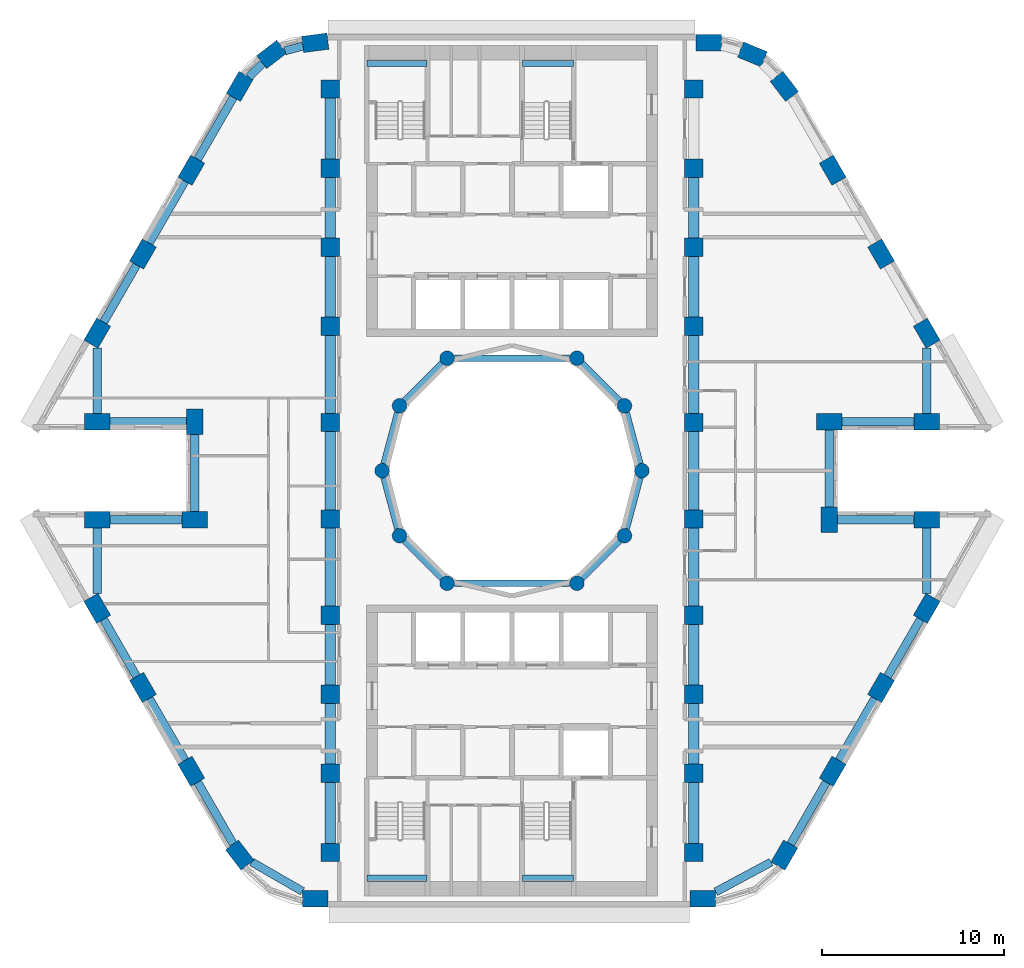
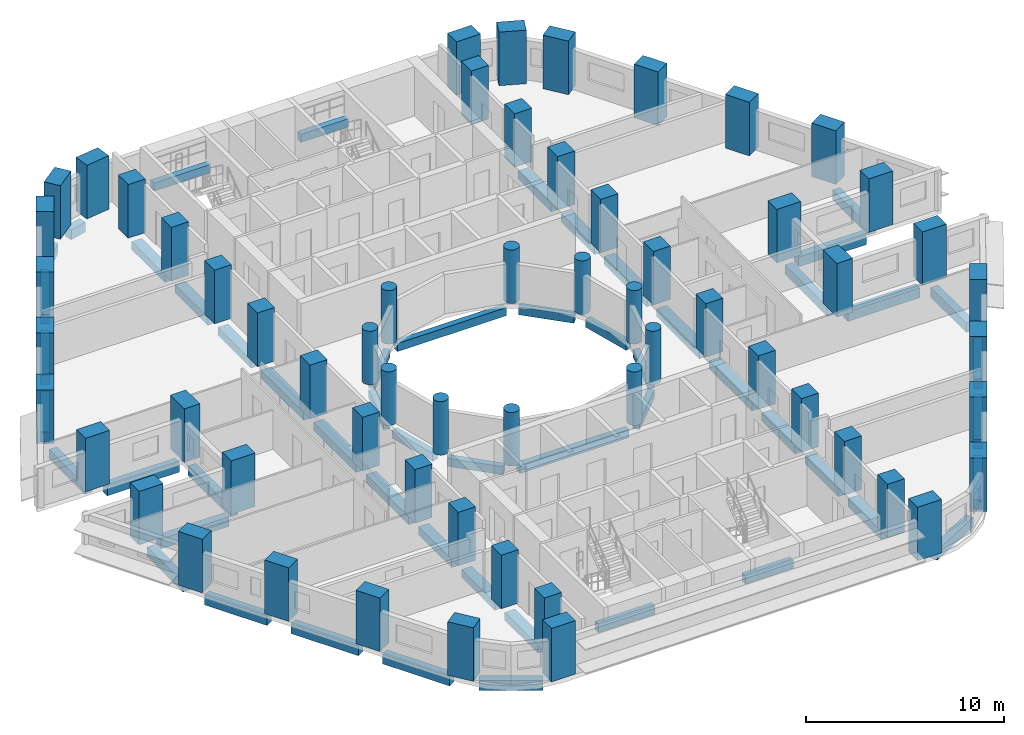
# One storey, part 1 of 12: 60 columns, 54 beams.
"""IFC4 building model written with IfcOpenShell, lengths in metres."""

from ifc_helpers import new_model, si_unit, direction, frame, origin, origin_2d, place, context, subcontext, project, spatial, rectangle, circle, extrude, material, material_profile, profile_set, type_object, element, save


model = new_model("IFC4")

# Units and contexts
model_context = context("Model", 3, precision=1e-05, world=origin(), true_north=direction((0.0, 1.0)))
body_context = subcontext(model_context, "Body", "Model", "MODEL_VIEW")
ifc_project = project(units=[si_unit("LENGTHUNIT", "METRE"), si_unit("AREAUNIT", "SQUARE_METRE"), si_unit("VOLUMEUNIT", "CUBIC_METRE"), si_unit("PLANEANGLEUNIT", "RADIAN"), si_unit("MASSUNIT", "GRAM", prefix="KILO")], contexts=[model_context])

# Site, building, storey
site_placement = place(None, origin())
site = spatial("IfcSite", under=ifc_project, at=site_placement, CompositionType="ELEMENT")
building_placement = place(site_placement, origin())
building = spatial("IfcBuilding", under=site, at=building_placement, Name="Nakaniwa Court", CompositionType="ELEMENT")
storey_placement = place(building_placement, frame((0.0, 0.0, 90.89990234375)))
storey = spatial("IfcBuildingStorey", under=building, at=storey_placement, Name="L23", CompositionType="ELEMENT", Elevation=90.89990234375)

# Columns
ifc_material = material(Name="Concrete C80/100", Category="concrete")
ifc_material_profile_1 = material_profile(ifc_material, rectangle(XDim=1.0, YDim=1.0, at=origin_2d()), Name="Concrete C80/100 RC 1000x1000 spine column")
ifc_profile_set_1 = profile_set([ifc_material_profile_1], Name="Concrete C80/100")
column_type_1 = type_object("IfcColumnType", Name="Concrete C80/100 RC 1000x1000 spine column", PredefinedType="COLUMN", material=ifc_profile_set_1)
for number, where, z_axis, x_axis, name in (
    (1, (90.0, 59.0, 0.0), (0.0, 0.0, 1.0), (0.0, 1.0, 0.0), "COLUMN CS-01"),
    (2, (90.0, 63.35009765625, 0.0), (0.0, 0.0, 1.0), (0.0, 1.0, 0.0), "COLUMN CS-02"),
    (3, (90.0, 67.699951171875, 0.0), (0.0, 0.0, 1.0), (0.0, 1.0, 0.0), "COLUMN CS-03"),
    (4, (90.0, 72.050048828125, 0.0), (0.0, 0.0, 1.0), (0.0, 1.0, 0.0), "COLUMN CS-04"),
    (5, (90.0, 77.35009765625, 0.0), (0.0, 0.0, 1.0), (0.0, 1.0, 0.0), "COLUMN CS-05"),
    (6, (90.0, 82.64990234375, 0.0), (0.0, 0.0, 1.0), (0.0, 1.0, 0.0), "COLUMN CS-06"),
    (7, (90.0, 87.949951171875, 0.0), (0.0, 0.0, 1.0), (0.0, 1.0, 0.0), "COLUMN CS-07"),
    (8, (90.0, 92.300048828125, 0.0), (0.0, 0.0, 1.0), (0.0, 1.0, 0.0), "COLUMN CS-08"),
    (9, (90.0, 96.64990234375, 0.0), (0.0, 0.0, 1.0), (0.0, 1.0, 0.0), "COLUMN CS-09"),
    (10, (90.0, 101.0, 0.0), (0.0, 0.0, 1.0), (0.0, 1.0, 0.0), "COLUMN CS-10"),
    (11, (70.0, 101.0, 0.0), (0.0, 0.0, 1.0), (0.0, -1.0, 0.0), "COLUMN CS-11"),
    (12, (70.0, 96.64990234375, 0.0), (0.0, 0.0, 1.0), (0.0, -1.0, 0.0), "COLUMN CS-12"),
    (13, (70.0, 92.300048828125, 0.0), (0.0, 0.0, 1.0), (0.0, -1.0, 0.0), "COLUMN CS-13"),
    (14, (70.0, 87.949951171875, 0.0), (0.0, 0.0, 1.0), (0.0, -1.0, 0.0), "COLUMN CS-14"),
    (15, (70.0, 82.64990234375, 0.0), (0.0, 0.0, 1.0), (0.0, -1.0, 0.0), "COLUMN CS-15"),
    (16, (70.0, 77.35009765625, 0.0), (0.0, 0.0, 1.0), (0.0, -1.0, 0.0), "COLUMN CS-16"),
    (17, (70.0, 72.050048828125, 0.0), (0.0, 0.0, 1.0), (0.0, -1.0, 0.0), "COLUMN CS-17"),
    (18, (70.0, 67.699951171875, 0.0), (0.0, 0.0, 1.0), (0.0, -1.0, 0.0), "COLUMN CS-18"),
    (19, (70.0, 63.35009765625, 0.0), (0.0, 0.0, 1.0), (0.0, -1.0, 0.0), "COLUMN CS-19"),
    (20, (70.0, 59.0, 0.0), (0.0, 0.0, 1.0), (0.0, -1.0, 0.0), "COLUMN CS-20"),
):
    element("IfcColumn", number, at=place(storey_placement, frame(where, z_axis=z_axis, x_axis=x_axis)), inside=storey, type_object=column_type_1, Name=name, PredefinedType="COLUMN", context=body_context, shape_type="SweptSolid", body=[
        extrude(rectangle(XDim=1.0, YDim=1.0, at=origin_2d()), origin(), (0.0, 0.0, 1.0), 3.300048828125),
    ])
ifc_material_profile_2 = material_profile(ifc_material, rectangle(XDim=1.39990234375, YDim=0.89990234375, at=origin_2d()), Name="Concrete C80/100 RC 1400x900 perimeter column")
ifc_profile_set_2 = profile_set([ifc_material_profile_2], Name="Concrete C80/100")
column_type_2 = type_object("IfcColumnType", Name="Concrete C80/100 RC 1400x900 perimeter column", PredefinedType="COLUMN", material=ifc_profile_set_2)
for number, where, z_axis, x_axis, name in (
    (21, (69.17529296875, 103.550048828125, 0.0), (0.0, 0.0, 1.0), (-0.991442583111, -0.130543496177, 0.0), "COLUMN CO-01"),
    (22, (66.772705078125, 102.91015625, 0.0), (0.0, 0.0, 1.0), (-0.793363965062, -0.608747582288, 0.0), "COLUMN CO-02"),
    (23, (65.017578125, 101.1494140625, 0.0), (0.0, 0.0, 1.0), (-0.5, -0.866025403784, 0.0), "COLUMN CO-03"),
    (24, (62.3544921875, 96.537109375, 0.0), (0.0, 0.0, 1.0), (-0.5, -0.866025403784, 0.0), "COLUMN CO-04"),
    (25, (59.691650390625, 91.9248046875, 0.0), (0.0, 0.0, 1.0), (-0.5, -0.866025403784, 0.0), "COLUMN CO-05"),
    (26, (57.177001953125, 87.569580078125, 0.0), (0.0, 0.0, 1.0), (-0.5, -0.866025403784, 0.0), "COLUMN CO-06"),
    (27, (57.177001953125, 82.699951171875, 0.0), (0.0, 0.0, 1.0), (1.0, 0.0, 0.0), "COLUMN CO-08"),
    (28, (62.54150390625, 82.699951171875, 0.0), (0.0, 0.0, 1.0), (0.0, -1.0, 0.0), "COLUMN CO-09"),
    (29, (62.54150390625, 77.300048828125, 0.0), (0.0, 0.0, 1.0), (-1.0, 0.0, 0.0), "COLUMN CO-10"),
    (30, (57.177001953125, 77.300048828125, 0.0), (0.0, 0.0, 1.0), (-1.0, 0.0, 0.0), "COLUMN CO-11"),
    (31, (57.177001953125, 72.430419921875, 0.0), (0.0, 0.0, 1.0), (0.5, -0.866025403784, 0.0), "COLUMN CO-13"),
    (32, (59.691650390625, 68.0751953125, 0.0), (0.0, 0.0, 1.0), (0.5, -0.866025403784, 0.0), "COLUMN CO-14"),
    (33, (62.3544921875, 63.462890625, 0.0), (0.0, 0.0, 1.0), (0.5, -0.866025403784, 0.0), "COLUMN CO-15"),
    (34, (65.017578125, 58.8505859375, 0.0), (0.0, 0.0, 1.0), (0.608761429009, -0.793353340291, 0.0), "COLUMN CO-16"),
    (35, (69.17529296875, 56.449951171875, 0.0), (0.0, 0.0, 1.0), (1.0, 0.0, 0.0), "COLUMN CO-17"),
    (36, (90.507080078125, 56.449951171875, 0.0), (0.0, 0.0, 1.0), (1.0, 0.0, 0.0), "COLUMN CO-21"),
    (37, (94.982421875, 58.8505859375, 0.0), (0.0, 0.0, 1.0), (0.5, 0.866025403784, 0.0), "COLUMN CO-22"),
    (38, (97.6455078125, 63.462890625, 0.0), (0.0, 0.0, 1.0), (0.5, 0.866025403784, 0.0), "COLUMN CO-23"),
    (39, (100.308349609375, 68.0751953125, 0.0), (0.0, 0.0, 1.0), (0.5, 0.866025403784, 0.0), "COLUMN CO-24"),
    (40, (102.822998046875, 72.430419921875, 0.0), (0.0, 0.0, 1.0), (0.5, 0.866025403784, 0.0), "COLUMN CO-25"),
    (41, (102.822998046875, 77.300048828125, 0.0), (0.0, 0.0, 1.0), (-1.0, 0.0, 0.0), "COLUMN CO-27"),
    (42, (97.45849609375, 77.300048828125, 0.0), (0.0, 0.0, 1.0), (0.0, 1.0, 0.0), "COLUMN CO-28"),
    (43, (97.45849609375, 82.699951171875, 0.0), (0.0, 0.0, 1.0), (1.0, 0.0, 0.0), "COLUMN CO-29"),
    (44, (102.822998046875, 82.699951171875, 0.0), (0.0, 0.0, 1.0), (1.0, 0.0, 0.0), "COLUMN CO-30"),
    (45, (102.822998046875, 87.569580078125, 0.0), (0.0, 0.0, 1.0), (-0.5, 0.866025403784, 0.0), "COLUMN CO-32"),
    (46, (100.308349609375, 91.9248046875, 0.0), (0.0, 0.0, 1.0), (-0.5, 0.866025403784, 0.0), "COLUMN CO-33"),
    (47, (97.6455078125, 96.537109375, 0.0), (0.0, 0.0, 1.0), (-0.5, 0.866025403784, 0.0), "COLUMN CO-34"),
    (48, (94.982421875, 101.1494140625, 0.0), (0.0, 0.0, 1.0), (-0.608761429009, 0.793353340291, 0.0), "COLUMN CO-35"),
    (49, (93.227294921875, 102.91015625, 0.0), (0.0, 0.0, 1.0), (-0.923879532511, 0.382683432365, 0.0), "COLUMN CO-36"),
    (50, (90.82470703125, 103.550048828125, 0.0), (0.0, 0.0, 1.0), (-1.0, 0.0, 0.0), "COLUMN CO-37"),
):
    element("IfcColumn", number, at=place(storey_placement, frame(where, z_axis=z_axis, x_axis=x_axis)), inside=storey, type_object=column_type_2, Name=name, PredefinedType="COLUMN", context=body_context, shape_type="SweptSolid", body=[
        extrude(rectangle(XDim=1.39990234375, YDim=0.89990234375, at=origin_2d()), origin(), (0.0, 0.0, 1.0), 3.300048828125),
    ])
ifc_material_profile_3 = material_profile(ifc_material, circle(Radius=0.39990234375, at=origin_2d()), Name="Concrete C80/100 RC D800 inner ring column")
ifc_profile_set_3 = profile_set([ifc_material_profile_3], Name="Concrete C80/100")
column_type_3 = type_object("IfcColumnType", Name="Concrete C80/100 RC D800 inner ring column", PredefinedType="COLUMN", material=ifc_profile_set_3)
for number, where, z_axis, x_axis, name in (
    (51, (87.14990234375, 80.0, 0.0), (0.0, 0.0, 1.0), (0.0, 1.0, 0.0), "COLUMN CI-01"),
    (52, (86.192138671875, 83.574951171875, 0.0), (0.0, 0.0, 1.0), (-0.5, 0.866025403784, 0.0), "COLUMN CI-02"),
    (53, (83.574951171875, 86.192138671875, 0.0), (0.0, 0.0, 1.0), (-0.866025403784, 0.5, 0.0), "COLUMN CI-03"),
    (54, (76.425048828125, 86.192138671875, 0.0), (0.0, 0.0, 1.0), (-0.866025403784, -0.5, 0.0), "COLUMN CI-05"),
    (55, (73.807861328125, 83.574951171875, 0.0), (0.0, 0.0, 1.0), (-0.5, -0.866025403784, 0.0), "COLUMN CI-06"),
    (56, (72.85009765625, 80.0, 0.0), (0.0, 0.0, 1.0), (0.0, -1.0, 0.0), "COLUMN CI-07"),
    (57, (73.807861328125, 76.425048828125, 0.0), (0.0, 0.0, 1.0), (0.5, -0.866025403784, 0.0), "COLUMN CI-08"),
    (58, (76.425048828125, 73.807861328125, 0.0), (0.0, 0.0, 1.0), (0.866025403784, -0.5, 0.0), "COLUMN CI-09"),
    (59, (83.574951171875, 73.807861328125, 0.0), (0.0, 0.0, 1.0), (0.866025403784, 0.5, 0.0), "COLUMN CI-11"),
    (60, (86.192138671875, 76.425048828125, 0.0), (0.0, 0.0, 1.0), (0.5, 0.866025403784, 0.0), "COLUMN CI-12"),
):
    element("IfcColumn", number, at=place(storey_placement, frame(where, z_axis=z_axis, x_axis=x_axis)), inside=storey, type_object=column_type_3, Name=name, PredefinedType="COLUMN", context=body_context, shape_type="SweptSolid", body=[
        extrude(circle(Radius=0.39990234375, at=origin_2d()), origin(), (0.0, 0.0, 1.0), 3.300048828125),
    ])

# Beams
ifc_material_profile_4 = material_profile(ifc_material, rectangle(XDim=0.35009765625, YDim=0.5, at=origin_2d()), Name="Concrete C80/100 RC 350x500 landing ledge beam")
ifc_profile_set_4 = profile_set([ifc_material_profile_4], Name="Concrete C80/100")
beam_type_1 = type_object("IfcBeamType", Name="Concrete C80/100 RC 350x500 landing ledge beam", PredefinedType="BEAM", material=ifc_profile_set_4)
beam_1_placement = place(storey_placement, frame((72.02490234375, 102.425048828125, 1.2001953125), z_axis=(1.0, 0.0, 0.0), x_axis=(0.0, 1.0, 0.0)))
element("IfcBeam", 61, at=beam_1_placement, inside=storey, type_object=beam_type_1, Name="LANDING LEDGE BEAM", PredefinedType="BEAM", context=body_context, shape_type="SweptSolid", body=[
    extrude(rectangle(XDim=0.35009765625, YDim=0.5, at=origin_2d()), origin(), (0.0, 0.0, 1.0), 3.300048828125),
])
beam_2_placement = place(storey_placement, frame((80.574951171875, 102.425048828125, 1.2001953125), z_axis=(1.0, 0.0, 0.0), x_axis=(0.0, 1.0, 0.0)))
element("IfcBeam", 62, at=beam_2_placement, inside=storey, type_object=beam_type_1, Name="LANDING LEDGE BEAM", PredefinedType="BEAM", context=body_context, shape_type="SweptSolid", body=[
    extrude(rectangle(XDim=0.35009765625, YDim=0.5, at=origin_2d()), origin(), (0.0, 0.0, 1.0), 2.800048828125),
])
beam_3_placement = place(storey_placement, frame((72.02490234375, 57.574951171875, 1.2001953125), z_axis=(1.0, 0.0, 0.0), x_axis=(0.0, 1.0, 0.0)))
element("IfcBeam", 63, at=beam_3_placement, inside=storey, type_object=beam_type_1, Name="LANDING LEDGE BEAM", PredefinedType="BEAM", context=body_context, shape_type="SweptSolid", body=[
    extrude(rectangle(XDim=0.35009765625, YDim=0.5, at=origin_2d()), origin(), (0.0, 0.0, 1.0), 3.300048828125),
])
beam_4_placement = place(storey_placement, frame((80.574951171875, 57.574951171875, 1.2001953125), z_axis=(1.0, 0.0, 0.0), x_axis=(0.0, 1.0, 0.0)))
element("IfcBeam", 64, at=beam_4_placement, inside=storey, type_object=beam_type_1, Name="LANDING LEDGE BEAM", PredefinedType="BEAM", context=body_context, shape_type="SweptSolid", body=[
    extrude(rectangle(XDim=0.35009765625, YDim=0.5, at=origin_2d()), origin(), (0.0, 0.0, 1.0), 2.800048828125),
])
ifc_material_profile_5 = material_profile(ifc_material, rectangle(XDim=0.35009765625, YDim=0.5, at=origin_2d()), Name="Concrete C80/100 RC 350x500 ring beam")
ifc_profile_set_5 = profile_set([ifc_material_profile_5], Name="Concrete C80/100")
beam_type_2 = type_object("IfcBeamType", Name="Concrete C80/100 RC 350x500 ring beam", PredefinedType="BEAM", material=ifc_profile_set_5)
beam_5_placement = place(storey_placement, frame((87.04638671875, 80.386474609375, -0.52490234375), z_axis=(-0.258778150207, 0.965936783115, 0.0), x_axis=(-0.965936783115, -0.258778150207, 0.0)))
element("IfcBeam", 65, at=beam_5_placement, inside=storey, type_object=beam_type_2, Name="RING BEAM", PredefinedType="BEAM", context=body_context, shape_type="SweptSolid", body=[
    extrude(rectangle(XDim=0.35009765625, YDim=0.5, at=origin_2d()), origin(), (0.0, 0.0, 1.0), 2.901123046875),
])
beam_6_placement = place(storey_placement, frame((85.9091796875, 83.85791015625, -0.52490234375), z_axis=(-0.707106781187, 0.707106781187, 0.0), x_axis=(-0.707106781187, -0.707106781187, 0.0)))
element("IfcBeam", 66, at=beam_6_placement, inside=storey, type_object=beam_type_2, Name="RING BEAM", PredefinedType="BEAM", context=body_context, shape_type="SweptSolid", body=[
    extrude(rectangle(XDim=0.35009765625, YDim=0.5, at=origin_2d()), origin(), (0.0, 0.0, 1.0), 2.90087890625),
])
beam_7_placement = place(storey_placement, frame((83.175048828125, 86.192138671875, -0.52490234375), z_axis=(-1.0, 0.0, 0.0), x_axis=(0.0, -1.0, 0.0)))
element("IfcBeam", 67, at=beam_7_placement, inside=storey, type_object=beam_type_2, Name="RING BEAM", PredefinedType="BEAM", context=body_context, shape_type="SweptSolid", body=[
    extrude(rectangle(XDim=0.35009765625, YDim=0.5, at=origin_2d()), origin(), (0.0, 0.0, 1.0), 6.35009765625),
])
beam_8_placement = place(storey_placement, frame((76.14208984375, 85.9091796875, -0.52490234375), z_axis=(-0.707106781187, -0.707106781187, 0.0), x_axis=(0.707106781187, -0.707106781187, 0.0)))
element("IfcBeam", 68, at=beam_8_placement, inside=storey, type_object=beam_type_2, Name="RING BEAM", PredefinedType="BEAM", context=body_context, shape_type="SweptSolid", body=[
    extrude(rectangle(XDim=0.35009765625, YDim=0.5, at=origin_2d()), origin(), (0.0, 0.0, 1.0), 2.90087890625),
])
for number, where, z_axis, x_axis, name in (
    (69, (73.704345703125, 83.188720703125, -0.52490234375), (-0.258778150207, -0.965936783115, 0.0), (0.965936783115, -0.258778150207, 0.0), "RING BEAM"),
    (70, (72.95361328125, 79.613525390625, -0.52490234375), (0.258778150207, -0.965936783115, 0.0), (0.965936783115, 0.258778150207, 0.0), "RING BEAM"),
):
    element("IfcBeam", number, at=place(storey_placement, frame(where, z_axis=z_axis, x_axis=x_axis)), inside=storey, type_object=beam_type_2, Name=name, PredefinedType="BEAM", context=body_context, shape_type="SweptSolid", body=[
        extrude(rectangle(XDim=0.35009765625, YDim=0.5, at=origin_2d()), origin(), (0.0, 0.0, 1.0), 2.901123046875),
    ])
beam_9_placement = place(storey_placement, frame((74.0908203125, 76.14208984375, -0.52490234375), z_axis=(0.707106781187, -0.707106781187, 0.0), x_axis=(0.707106781187, 0.707106781187, 0.0)))
element("IfcBeam", 71, at=beam_9_placement, inside=storey, type_object=beam_type_2, Name="RING BEAM", PredefinedType="BEAM", context=body_context, shape_type="SweptSolid", body=[
    extrude(rectangle(XDim=0.35009765625, YDim=0.5, at=origin_2d()), origin(), (0.0, 0.0, 1.0), 2.90087890625),
])
beam_10_placement = place(storey_placement, frame((76.824951171875, 73.807861328125, -0.52490234375), z_axis=(1.0, 0.0, 0.0), x_axis=(0.0, 1.0, 0.0)))
element("IfcBeam", 72, at=beam_10_placement, inside=storey, type_object=beam_type_2, Name="RING BEAM", PredefinedType="BEAM", context=body_context, shape_type="SweptSolid", body=[
    extrude(rectangle(XDim=0.35009765625, YDim=0.5, at=origin_2d()), origin(), (0.0, 0.0, 1.0), 6.35009765625),
])
beam_11_placement = place(storey_placement, frame((83.85791015625, 74.0908203125, -0.52490234375), z_axis=(0.707106781187, 0.707106781187, 0.0), x_axis=(-0.707106781187, 0.707106781187, 0.0)))
element("IfcBeam", 73, at=beam_11_placement, inside=storey, type_object=beam_type_2, Name="RING BEAM", PredefinedType="BEAM", context=body_context, shape_type="SweptSolid", body=[
    extrude(rectangle(XDim=0.35009765625, YDim=0.5, at=origin_2d()), origin(), (0.0, 0.0, 1.0), 2.90087890625),
])
beam_12_placement = place(storey_placement, frame((86.295654296875, 76.811279296875, -0.52490234375), z_axis=(0.258778150207, 0.965936783115, 0.0), x_axis=(-0.965936783115, 0.258778150207, 0.0)))
element("IfcBeam", 74, at=beam_12_placement, inside=storey, type_object=beam_type_2, Name="RING BEAM", PredefinedType="BEAM", context=body_context, shape_type="SweptSolid", body=[
    extrude(rectangle(XDim=0.35009765625, YDim=0.5, at=origin_2d()), origin(), (0.0, 0.0, 1.0), 2.901123046875),
])
ifc_material_profile_6 = material_profile(ifc_material, rectangle(XDim=0.449951171875, YDim=0.60009765625, at=origin_2d()), Name="Concrete C80/100 RC 450x600 spandrel beam")
ifc_profile_set_6 = profile_set([ifc_material_profile_6], Name="Concrete C80/100")
beam_type_3 = type_object("IfcBeamType", Name="Concrete C80/100 RC 450x600 spandrel beam", PredefinedType="BEAM", material=ifc_profile_set_6)
beam_13_placement = place(storey_placement, frame((68.4931640625, 103.368408203125, -0.574951171875), z_axis=(-0.966290412053, -0.257454538851, 0.0), x_axis=(0.257454538851, -0.966290412053, 0.0)))
element("IfcBeam", 75, at=beam_13_placement, inside=storey, type_object=beam_type_3, Name="SPANDREL BEAM", PredefinedType="BEAM", context=body_context, shape_type="SweptSolid", body=[
    extrude(rectangle(XDim=0.449951171875, YDim=0.60009765625, at=origin_2d()), origin(), (0.0, 0.0, 1.0), 1.022216796875),
])
beam_14_placement = place(storey_placement, frame((66.274169921875, 102.41015625, -0.574951171875), z_axis=(-0.70606530329, -0.708146727374, 0.0), x_axis=(0.708146727374, -0.70606530329, 0.0)))
element("IfcBeam", 76, at=beam_14_placement, inside=storey, type_object=beam_type_3, Name="SPANDREL BEAM", PredefinedType="BEAM", context=body_context, shape_type="SweptSolid", body=[
    extrude(rectangle(XDim=0.449951171875, YDim=0.60009765625, at=origin_2d()), origin(), (0.0, 0.0, 1.0), 1.0556640625),
])
for number, where, z_axis, x_axis, name in (
    (77, (64.66748046875, 100.543212890625, -0.574951171875), (-0.49999161165, -0.866030246746, 0.0), (0.866030246746, -0.49999161165, 0.0), "SPANDREL BEAM"),
    (78, (62.00439453125, 95.930908203125, -0.574951171875), (-0.49999161165, -0.866030246746, 0.0), (0.866030246746, -0.49999161165, 0.0), "SPANDREL BEAM"),
):
    element("IfcBeam", number, at=place(storey_placement, frame(where, z_axis=z_axis, x_axis=x_axis)), inside=storey, type_object=beam_type_3, Name=name, PredefinedType="BEAM", context=body_context, shape_type="SweptSolid", body=[
        extrude(rectangle(XDim=0.449951171875, YDim=0.60009765625, at=origin_2d()), origin(), (0.0, 0.0, 1.0), 3.92578125),
    ])
beam_15_placement = place(storey_placement, frame((59.341552734375, 91.318603515625, -0.574951171875), z_axis=(-0.499988394233, -0.866032104273, 0.0), x_axis=(0.866032104273, -0.499988394233, 0.0)))
element("IfcBeam", 79, at=beam_15_placement, inside=storey, type_object=beam_type_3, Name="SPANDREL BEAM", PredefinedType="BEAM", context=body_context, shape_type="SweptSolid", body=[
    extrude(rectangle(XDim=0.449951171875, YDim=0.60009765625, at=origin_2d()), origin(), (0.0, 0.0, 1.0), 3.62890625),
])
beam_16_placement = place(storey_placement, frame((57.177001953125, 86.761474609375, -0.574951171875), z_axis=(0.0, -1.0, 0.0), x_axis=(1.0, 0.0, 0.0)))
element("IfcBeam", 80, at=beam_16_placement, inside=storey, type_object=beam_type_3, Name="SPANDREL BEAM", PredefinedType="BEAM", context=body_context, shape_type="SweptSolid", body=[
    extrude(rectangle(XDim=0.449951171875, YDim=0.60009765625, at=origin_2d()), origin(), (0.0, 0.0, 1.0), 3.611572265625),
])
beam_17_placement = place(storey_placement, frame((57.877197265625, 82.699951171875, -0.574951171875), z_axis=(1.0, 0.0, 0.0), x_axis=(0.0, 1.0, 0.0)))
element("IfcBeam", 81, at=beam_17_placement, inside=storey, type_object=beam_type_3, Name="SPANDREL BEAM", PredefinedType="BEAM", context=body_context, shape_type="SweptSolid", body=[
    extrude(rectangle(XDim=0.449951171875, YDim=0.60009765625, at=origin_2d()), origin(), (0.0, 0.0, 1.0), 4.21435546875),
])
beam_18_placement = place(storey_placement, frame((62.54150390625, 82.0, -0.574951171875), z_axis=(0.0, -1.0, 0.0), x_axis=(1.0, 0.0, 0.0)))
element("IfcBeam", 82, at=beam_18_placement, inside=storey, type_object=beam_type_3, Name="SPANDREL BEAM", PredefinedType="BEAM", context=body_context, shape_type="SweptSolid", body=[
    extrude(rectangle(XDim=0.449951171875, YDim=0.60009765625, at=origin_2d()), origin(), (0.0, 0.0, 1.0), 4.25),
])
beam_19_placement = place(storey_placement, frame((61.841552734375, 77.300048828125, -0.574951171875), z_axis=(-1.0, 0.0, 0.0), x_axis=(0.0, -1.0, 0.0)))
element("IfcBeam", 83, at=beam_19_placement, inside=storey, type_object=beam_type_3, Name="SPANDREL BEAM", PredefinedType="BEAM", context=body_context, shape_type="SweptSolid", body=[
    extrude(rectangle(XDim=0.449951171875, YDim=0.60009765625, at=origin_2d()), origin(), (0.0, 0.0, 1.0), 3.96435546875),
])
beam_20_placement = place(storey_placement, frame((57.177001953125, 76.85009765625, -0.574951171875), z_axis=(0.0, -1.0, 0.0), x_axis=(1.0, 0.0, 0.0)))
element("IfcBeam", 84, at=beam_20_placement, inside=storey, type_object=beam_type_3, Name="SPANDREL BEAM", PredefinedType="BEAM", context=body_context, shape_type="SweptSolid", body=[
    extrude(rectangle(XDim=0.449951171875, YDim=0.60009765625, at=origin_2d()), origin(), (0.0, 0.0, 1.0), 3.611572265625),
])
beam_21_placement = place(storey_placement, frame((57.527099609375, 71.82421875, -0.574951171875), z_axis=(0.499988394233, -0.866032104273, 0.0), x_axis=(0.866032104273, 0.499988394233, 0.0)))
element("IfcBeam", 85, at=beam_21_placement, inside=storey, type_object=beam_type_3, Name="SPANDREL BEAM", PredefinedType="BEAM", context=body_context, shape_type="SweptSolid", body=[
    extrude(rectangle(XDim=0.449951171875, YDim=0.60009765625, at=origin_2d()), origin(), (0.0, 0.0, 1.0), 3.62890625),
])
beam_22_placement = place(storey_placement, frame((60.04150390625, 67.468994140625, -0.574951171875), z_axis=(0.49999161165, -0.866030246746, 0.0), x_axis=(0.866030246746, 0.49999161165, 0.0)))
element("IfcBeam", 86, at=beam_22_placement, inside=storey, type_object=beam_type_3, Name="SPANDREL BEAM", PredefinedType="BEAM", context=body_context, shape_type="SweptSolid", body=[
    extrude(rectangle(XDim=0.449951171875, YDim=0.60009765625, at=origin_2d()), origin(), (0.0, 0.0, 1.0), 3.92578125),
])
beam_23_placement = place(storey_placement, frame((62.70458984375, 62.856689453125, -0.574951171875), z_axis=(0.499997407846, -0.86602690036, 0.0), x_axis=(0.86602690036, 0.499997407846, 0.0)))
element("IfcBeam", 87, at=beam_23_placement, inside=storey, type_object=beam_type_3, Name="SPANDREL BEAM", PredefinedType="BEAM", context=body_context, shape_type="SweptSolid", body=[
    extrude(rectangle(XDim=0.449951171875, YDim=0.60009765625, at=origin_2d()), origin(), (0.0, 0.0, 1.0), 3.919921875),
])
beam_24_placement = place(storey_placement, frame((65.673583984375, 58.4716796875, -0.574951171875), z_axis=(0.866014675542, -0.5000185814, 0.0), x_axis=(0.5000185814, 0.866014675542, 0.0)))
element("IfcBeam", 88, at=beam_24_placement, inside=storey, type_object=beam_type_3, Name="SPANDREL BEAM", PredefinedType="BEAM", context=body_context, shape_type="SweptSolid", body=[
    extrude(rectangle(XDim=0.449951171875, YDim=0.60009765625, at=origin_2d()), origin(), (0.0, 0.0, 1.0), 3.2353515625),
])
beam_25_placement = place(storey_placement, frame((91.20703125, 56.825439453125, -0.574951171875), z_axis=(0.881233381314, 0.472681423009, 0.0), x_axis=(-0.472681423009, 0.881233381314, 0.0)))
element("IfcBeam", 89, at=beam_25_placement, inside=storey, type_object=beam_type_3, Name="SPANDREL BEAM", PredefinedType="BEAM", context=body_context, shape_type="SweptSolid", body=[
    extrude(rectangle(XDim=0.449951171875, YDim=0.60009765625, at=origin_2d()), origin(), (0.0, 0.0, 1.0), 3.46044921875),
])
for number, where, z_axis, x_axis, name in (
    (90, (95.33251953125, 59.456787109375, -0.574951171875), (0.49999161165, 0.866030246746, 0.0), (-0.866030246746, 0.49999161165, 0.0), "SPANDREL BEAM"),
    (91, (97.99560546875, 64.069091796875, -0.574951171875), (0.49999161165, 0.866030246746, 0.0), (-0.866030246746, 0.49999161165, 0.0), "SPANDREL BEAM"),
):
    element("IfcBeam", number, at=place(storey_placement, frame(where, z_axis=z_axis, x_axis=x_axis)), inside=storey, type_object=beam_type_3, Name=name, PredefinedType="BEAM", context=body_context, shape_type="SweptSolid", body=[
        extrude(rectangle(XDim=0.449951171875, YDim=0.60009765625, at=origin_2d()), origin(), (0.0, 0.0, 1.0), 3.92578125),
    ])
beam_26_placement = place(storey_placement, frame((100.658447265625, 68.681396484375, -0.574951171875), z_axis=(0.499988394233, 0.866032104273, 0.0), x_axis=(-0.866032104273, 0.499988394233, 0.0)))
element("IfcBeam", 92, at=beam_26_placement, inside=storey, type_object=beam_type_3, Name="SPANDREL BEAM", PredefinedType="BEAM", context=body_context, shape_type="SweptSolid", body=[
    extrude(rectangle(XDim=0.449951171875, YDim=0.60009765625, at=origin_2d()), origin(), (0.0, 0.0, 1.0), 3.62890625),
])
beam_27_placement = place(storey_placement, frame((102.822998046875, 73.238525390625, -0.574951171875), z_axis=(0.0, 1.0, 0.0), x_axis=(-1.0, 0.0, 0.0)))
element("IfcBeam", 93, at=beam_27_placement, inside=storey, type_object=beam_type_3, Name="SPANDREL BEAM", PredefinedType="BEAM", context=body_context, shape_type="SweptSolid", body=[
    extrude(rectangle(XDim=0.449951171875, YDim=0.60009765625, at=origin_2d()), origin(), (0.0, 0.0, 1.0), 3.611572265625),
])
beam_28_placement = place(storey_placement, frame((102.122802734375, 77.300048828125, -0.574951171875), z_axis=(-1.0, 0.0, 0.0), x_axis=(0.0, -1.0, 0.0)))
element("IfcBeam", 94, at=beam_28_placement, inside=storey, type_object=beam_type_3, Name="SPANDREL BEAM", PredefinedType="BEAM", context=body_context, shape_type="SweptSolid", body=[
    extrude(rectangle(XDim=0.449951171875, YDim=0.60009765625, at=origin_2d()), origin(), (0.0, 0.0, 1.0), 4.21435546875),
])
beam_29_placement = place(storey_placement, frame((97.45849609375, 78.0, -0.574951171875), z_axis=(0.0, 1.0, 0.0), x_axis=(-1.0, 0.0, 0.0)))
element("IfcBeam", 95, at=beam_29_placement, inside=storey, type_object=beam_type_3, Name="SPANDREL BEAM", PredefinedType="BEAM", context=body_context, shape_type="SweptSolid", body=[
    extrude(rectangle(XDim=0.449951171875, YDim=0.60009765625, at=origin_2d()), origin(), (0.0, 0.0, 1.0), 4.25),
])
beam_30_placement = place(storey_placement, frame((98.158447265625, 82.699951171875, -0.574951171875), z_axis=(1.0, 0.0, 0.0), x_axis=(0.0, 1.0, 0.0)))
element("IfcBeam", 96, at=beam_30_placement, inside=storey, type_object=beam_type_3, Name="SPANDREL BEAM", PredefinedType="BEAM", context=body_context, shape_type="SweptSolid", body=[
    extrude(rectangle(XDim=0.449951171875, YDim=0.60009765625, at=origin_2d()), origin(), (0.0, 0.0, 1.0), 3.96435546875),
])
beam_31_placement = place(storey_placement, frame((102.822998046875, 83.14990234375, -0.574951171875), z_axis=(0.0, 1.0, 0.0), x_axis=(-1.0, 0.0, 0.0)))
element("IfcBeam", 97, at=beam_31_placement, inside=storey, type_object=beam_type_3, Name="SPANDREL BEAM", PredefinedType="BEAM", context=body_context, shape_type="SweptSolid", body=[
    extrude(rectangle(XDim=0.449951171875, YDim=0.60009765625, at=origin_2d()), origin(), (0.0, 0.0, 1.0), 3.611572265625),
])
ifc_material_profile_7 = material_profile(ifc_material, rectangle(XDim=0.60009765625, YDim=0.5, at=origin_2d()), Name="Concrete C80/100 RC 600x500 ring beam")
ifc_profile_set_7 = profile_set([ifc_material_profile_7], Name="Concrete C80/100")
beam_type_4 = type_object("IfcBeamType", Name="Concrete C80/100 RC 600x500 ring beam", PredefinedType="BEAM", material=ifc_profile_set_7)
beam_32_placement = place(storey_placement, frame((90.0, 59.5, -0.52490234375), z_axis=(0.0, 1.0, 0.0), x_axis=(-1.0, 0.0, 0.0)))
element("IfcBeam", 98, at=beam_32_placement, inside=storey, type_object=beam_type_4, Name="RING BEAM", PredefinedType="BEAM", context=body_context, shape_type="SweptSolid", body=[
    extrude(rectangle(XDim=0.60009765625, YDim=0.5, at=origin_2d()), origin(), (0.0, 0.0, 1.0), 3.35009765625),
])
beam_33_placement = place(storey_placement, frame((90.0, 63.85009765625, -0.52490234375), z_axis=(0.0, 1.0, 0.0), x_axis=(-1.0, 0.0, 0.0)))
element("IfcBeam", 99, at=beam_33_placement, inside=storey, type_object=beam_type_4, Name="RING BEAM", PredefinedType="BEAM", context=body_context, shape_type="SweptSolid", body=[
    extrude(rectangle(XDim=0.60009765625, YDim=0.5, at=origin_2d()), origin(), (0.0, 0.0, 1.0), 3.349853515625),
])
beam_34_placement = place(storey_placement, frame((90.0, 68.199951171875, -0.52490234375), z_axis=(0.0, 1.0, 0.0), x_axis=(-1.0, 0.0, 0.0)))
element("IfcBeam", 100, at=beam_34_placement, inside=storey, type_object=beam_type_4, Name="RING BEAM", PredefinedType="BEAM", context=body_context, shape_type="SweptSolid", body=[
    extrude(rectangle(XDim=0.60009765625, YDim=0.5, at=origin_2d()), origin(), (0.0, 0.0, 1.0), 3.35009765625),
])
beam_35_placement = place(storey_placement, frame((90.0, 72.550048828125, -0.52490234375), z_axis=(0.0, 1.0, 0.0), x_axis=(-1.0, 0.0, 0.0)))
element("IfcBeam", 101, at=beam_35_placement, inside=storey, type_object=beam_type_4, Name="RING BEAM", PredefinedType="BEAM", context=body_context, shape_type="SweptSolid", body=[
    extrude(rectangle(XDim=0.60009765625, YDim=0.5, at=origin_2d()), origin(), (0.0, 0.0, 1.0), 4.300048828125),
])
beam_36_placement = place(storey_placement, frame((90.0, 77.85009765625, -0.52490234375), z_axis=(0.0, 1.0, 0.0), x_axis=(-1.0, 0.0, 0.0)))
element("IfcBeam", 102, at=beam_36_placement, inside=storey, type_object=beam_type_4, Name="RING BEAM", PredefinedType="BEAM", context=body_context, shape_type="SweptSolid", body=[
    extrude(rectangle(XDim=0.60009765625, YDim=0.5, at=origin_2d()), origin(), (0.0, 0.0, 1.0), 4.2998046875),
])
beam_37_placement = place(storey_placement, frame((90.0, 83.14990234375, -0.52490234375), z_axis=(0.0, 1.0, 0.0), x_axis=(-1.0, 0.0, 0.0)))
element("IfcBeam", 103, at=beam_37_placement, inside=storey, type_object=beam_type_4, Name="RING BEAM", PredefinedType="BEAM", context=body_context, shape_type="SweptSolid", body=[
    extrude(rectangle(XDim=0.60009765625, YDim=0.5, at=origin_2d()), origin(), (0.0, 0.0, 1.0), 4.300048828125),
])
beam_38_placement = place(storey_placement, frame((90.0, 88.449951171875, -0.52490234375), z_axis=(0.0, 1.0, 0.0), x_axis=(-1.0, 0.0, 0.0)))
element("IfcBeam", 104, at=beam_38_placement, inside=storey, type_object=beam_type_4, Name="RING BEAM", PredefinedType="BEAM", context=body_context, shape_type="SweptSolid", body=[
    extrude(rectangle(XDim=0.60009765625, YDim=0.5, at=origin_2d()), origin(), (0.0, 0.0, 1.0), 3.35009765625),
])
beam_39_placement = place(storey_placement, frame((90.0, 92.800048828125, -0.52490234375), z_axis=(0.0, 1.0, 0.0), x_axis=(-1.0, 0.0, 0.0)))
element("IfcBeam", 105, at=beam_39_placement, inside=storey, type_object=beam_type_4, Name="RING BEAM", PredefinedType="BEAM", context=body_context, shape_type="SweptSolid", body=[
    extrude(rectangle(XDim=0.60009765625, YDim=0.5, at=origin_2d()), origin(), (0.0, 0.0, 1.0), 3.349853515625),
])
beam_40_placement = place(storey_placement, frame((70.0, 100.5, -0.52490234375), z_axis=(0.0, -1.0, 0.0), x_axis=(1.0, 0.0, 0.0)))
element("IfcBeam", 106, at=beam_40_placement, inside=storey, type_object=beam_type_4, Name="RING BEAM", PredefinedType="BEAM", context=body_context, shape_type="SweptSolid", body=[
    extrude(rectangle(XDim=0.60009765625, YDim=0.5, at=origin_2d()), origin(), (0.0, 0.0, 1.0), 3.35009765625),
])
beam_41_placement = place(storey_placement, frame((70.0, 96.14990234375, -0.52490234375), z_axis=(0.0, -1.0, 0.0), x_axis=(1.0, 0.0, 0.0)))
element("IfcBeam", 107, at=beam_41_placement, inside=storey, type_object=beam_type_4, Name="RING BEAM", PredefinedType="BEAM", context=body_context, shape_type="SweptSolid", body=[
    extrude(rectangle(XDim=0.60009765625, YDim=0.5, at=origin_2d()), origin(), (0.0, 0.0, 1.0), 3.349853515625),
])
beam_42_placement = place(storey_placement, frame((70.0, 91.800048828125, -0.52490234375), z_axis=(0.0, -1.0, 0.0), x_axis=(1.0, 0.0, 0.0)))
element("IfcBeam", 108, at=beam_42_placement, inside=storey, type_object=beam_type_4, Name="RING BEAM", PredefinedType="BEAM", context=body_context, shape_type="SweptSolid", body=[
    extrude(rectangle(XDim=0.60009765625, YDim=0.5, at=origin_2d()), origin(), (0.0, 0.0, 1.0), 3.35009765625),
])
beam_43_placement = place(storey_placement, frame((70.0, 87.449951171875, -0.52490234375), z_axis=(0.0, -1.0, 0.0), x_axis=(1.0, 0.0, 0.0)))
element("IfcBeam", 109, at=beam_43_placement, inside=storey, type_object=beam_type_4, Name="RING BEAM", PredefinedType="BEAM", context=body_context, shape_type="SweptSolid", body=[
    extrude(rectangle(XDim=0.60009765625, YDim=0.5, at=origin_2d()), origin(), (0.0, 0.0, 1.0), 4.300048828125),
])
beam_44_placement = place(storey_placement, frame((70.0, 82.14990234375, -0.52490234375), z_axis=(0.0, -1.0, 0.0), x_axis=(1.0, 0.0, 0.0)))
element("IfcBeam", 110, at=beam_44_placement, inside=storey, type_object=beam_type_4, Name="RING BEAM", PredefinedType="BEAM", context=body_context, shape_type="SweptSolid", body=[
    extrude(rectangle(XDim=0.60009765625, YDim=0.5, at=origin_2d()), origin(), (0.0, 0.0, 1.0), 4.2998046875),
])
beam_45_placement = place(storey_placement, frame((70.0, 76.85009765625, -0.52490234375), z_axis=(0.0, -1.0, 0.0), x_axis=(1.0, 0.0, 0.0)))
element("IfcBeam", 111, at=beam_45_placement, inside=storey, type_object=beam_type_4, Name="RING BEAM", PredefinedType="BEAM", context=body_context, shape_type="SweptSolid", body=[
    extrude(rectangle(XDim=0.60009765625, YDim=0.5, at=origin_2d()), origin(), (0.0, 0.0, 1.0), 4.300048828125),
])
beam_46_placement = place(storey_placement, frame((70.0, 71.550048828125, -0.52490234375), z_axis=(0.0, -1.0, 0.0), x_axis=(1.0, 0.0, 0.0)))
element("IfcBeam", 112, at=beam_46_placement, inside=storey, type_object=beam_type_4, Name="RING BEAM", PredefinedType="BEAM", context=body_context, shape_type="SweptSolid", body=[
    extrude(rectangle(XDim=0.60009765625, YDim=0.5, at=origin_2d()), origin(), (0.0, 0.0, 1.0), 3.35009765625),
])
beam_47_placement = place(storey_placement, frame((70.0, 67.199951171875, -0.52490234375), z_axis=(0.0, -1.0, 0.0), x_axis=(1.0, 0.0, 0.0)))
element("IfcBeam", 113, at=beam_47_placement, inside=storey, type_object=beam_type_4, Name="RING BEAM", PredefinedType="BEAM", context=body_context, shape_type="SweptSolid", body=[
    extrude(rectangle(XDim=0.60009765625, YDim=0.5, at=origin_2d()), origin(), (0.0, 0.0, 1.0), 3.349853515625),
])
beam_48_placement = place(storey_placement, frame((70.0, 62.85009765625, -0.52490234375), z_axis=(0.0, -1.0, 0.0), x_axis=(1.0, 0.0, 0.0)))
element("IfcBeam", 114, at=beam_48_placement, inside=storey, type_object=beam_type_4, Name="RING BEAM", PredefinedType="BEAM", context=body_context, shape_type="SweptSolid", body=[
    extrude(rectangle(XDim=0.60009765625, YDim=0.5, at=origin_2d()), origin(), (0.0, 0.0, 1.0), 3.35009765625),
])

save(model, "model.ifc")
